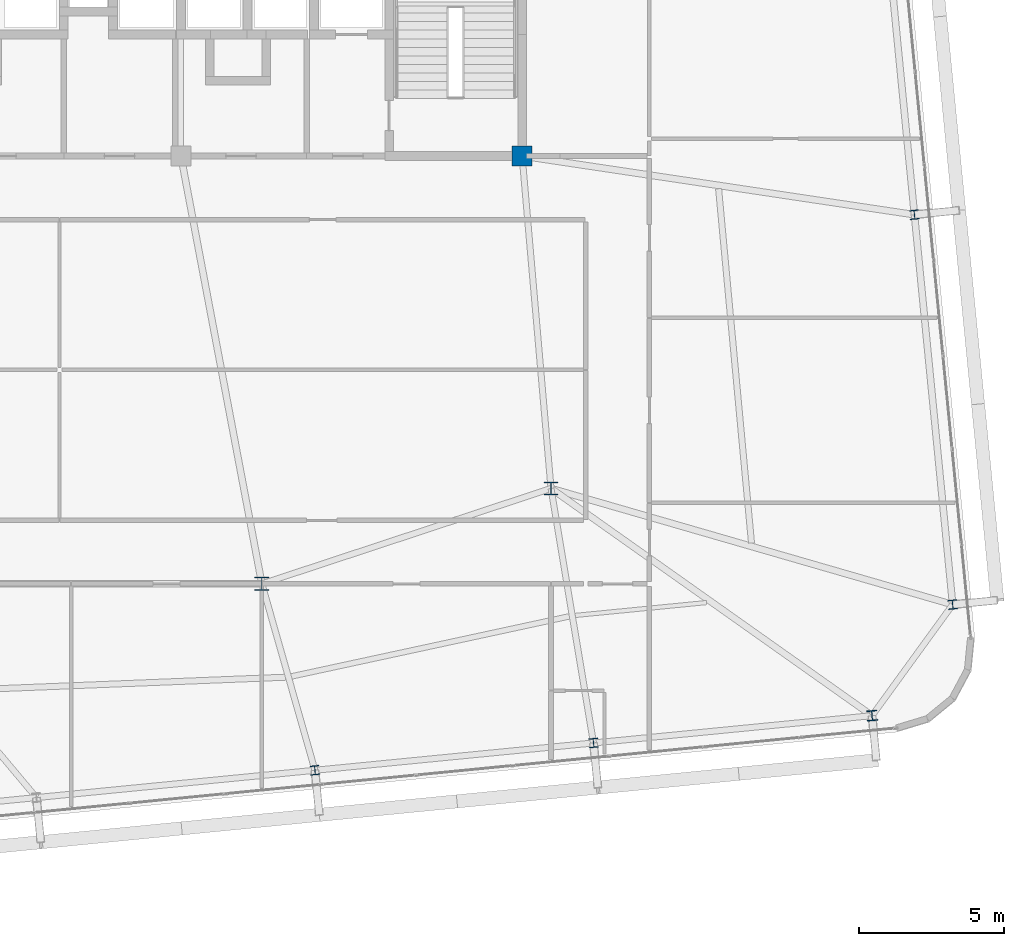
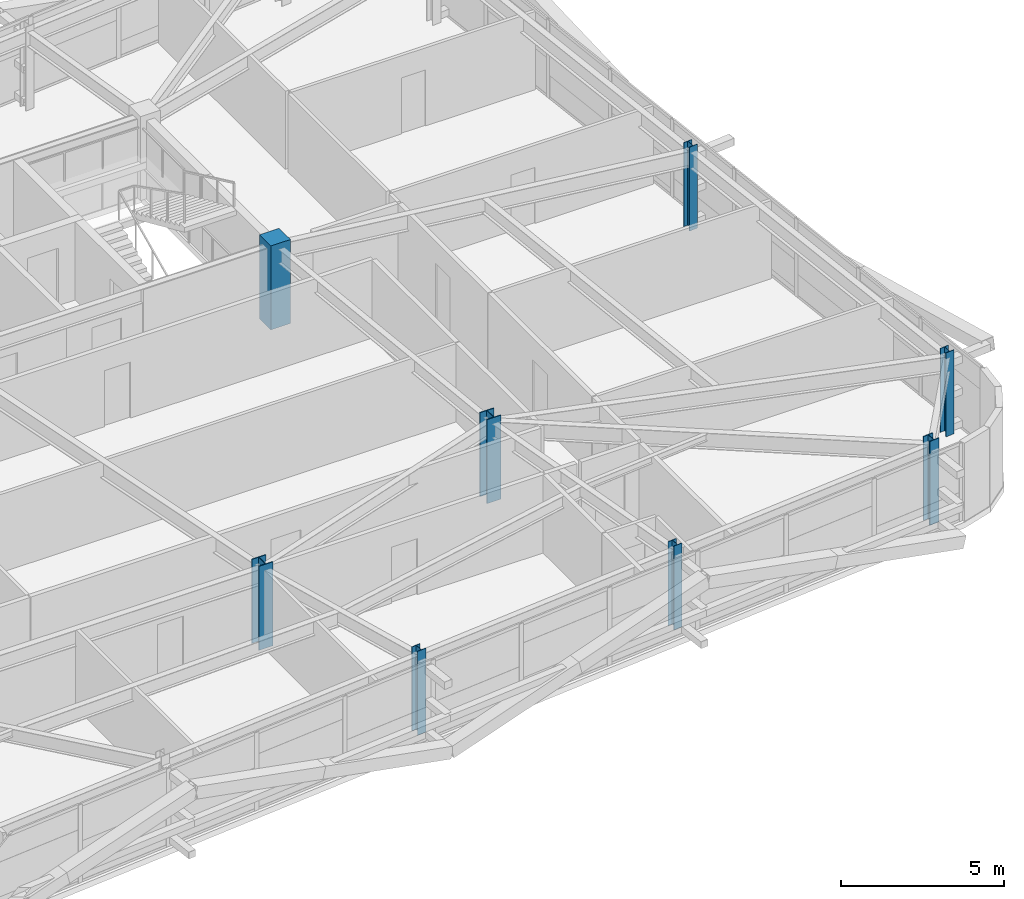
# One storey, part 2 of 52: 8 columns.
"""IFC4 building model written with IfcOpenShell, lengths in metres."""

from ifc_helpers import new_model, si_unit, direction, frame, origin, origin_2d, place, context, subcontext, project, spatial, rectangle, i_section, extrude, source, transform, mapped, material, material_profile, profile_set, type_object, element, save


model = new_model("IFC4")

# Units and contexts
model_context = context("Model", 3, precision=1e-05, world=origin(), true_north=direction((0.0, 1.0)))
body_context = subcontext(model_context, "Body", "Model", "MODEL_VIEW")
ifc_project = project(units=[si_unit("LENGTHUNIT", "METRE"), si_unit("AREAUNIT", "SQUARE_METRE"), si_unit("VOLUMEUNIT", "CUBIC_METRE"), si_unit("PLANEANGLEUNIT", "RADIAN"), si_unit("MASSUNIT", "GRAM", prefix="KILO")], contexts=[model_context])

# Site, building, storey
site_placement = place(None, origin())
site = spatial("IfcSite", under=ifc_project, at=site_placement, CompositionType="ELEMENT")
building_placement = place(site_placement, origin())
building = spatial("IfcBuilding", under=site, at=building_placement, Name="Taldren Reach Tower", CompositionType="ELEMENT")
storey_placement = place(building_placement, frame((0.0, 0.0, 77.699951171875)))
storey = spatial("IfcBuildingStorey", under=building, at=storey_placement, Name="L23", CompositionType="ELEMENT", Elevation=77.699951171875)

# Columns
ifc_material_1 = material(Name="Steel Gr 350 (350PLUS)", Category="steel")
ifc_material_profile_1 = material_profile(ifc_material_1, i_section(OverallWidth=0.5, OverallDepth=0.464111328125, WebThickness=0.02197265625, FlangeThickness=0.033935546875, at=origin_2d()), Name="500WC340")
ifc_profile_set_1 = profile_set([ifc_material_profile_1], Name="Steel Gr 350 (350PLUS)")
column_type_1 = type_object("IfcColumnType", Name="COL-WC500B", PredefinedType="COLUMN", material=ifc_profile_set_1)
shared_shape_1 = source(origin(), body_context, "Body", "SweptSolid", [
    extrude(i_section(OverallWidth=0.5, OverallDepth=0.464111328125, WebThickness=0.02197265625, FlangeThickness=0.033935546875, at=origin_2d()), origin(), (0.0, 0.0, 1.0), 3.150146484375),
])
for number, where, z_axis, x_axis, name in (
    (1, (42.0, 9.199951171875, 0.0), (0.0, 0.0, 1.0), (1.0, 0.0, 0.0), "Mega column MC-PJE L23"),
    (2, (52.0, 12.5, 0.0), (0.0, 0.0, 1.0), (1.0, 0.0, 0.0), "Mega column MC-SE L23"),
):
    element("IfcColumn", number, at=place(storey_placement, frame(where, z_axis=z_axis, x_axis=x_axis)), inside=storey, type_object=column_type_1, Name=name, PredefinedType="COLUMN", context=body_context, shape_type="MappedRepresentation", body=[
        mapped(shared_shape_1, transform((0.0, 0.0, 0.0), scale=1.0)),
    ])
ifc_material_2 = material(Name="Concrete S65 (65 MPa)", Category="concrete")
ifc_material_profile_2 = material_profile(ifc_material_2, rectangle(XDim=0.699951171875, YDim=0.699951171875, at=origin_2d()), Name="RC-700x700")
ifc_profile_set_2 = profile_set([ifc_material_profile_2], Name="Concrete S65 (65 MPa)")
column_type_2 = type_object("IfcColumnType", Name="COL-RC700", PredefinedType="COLUMN", material=ifc_profile_set_2)
shared_shape_2 = source(origin(), body_context, "Body", "SweptSolid", [
    extrude(rectangle(XDim=0.699951171875, YDim=0.699951171875, at=origin_2d()), origin(), (0.0, 0.0, 1.0), 3.150146484375),
])
column_1_placement = place(storey_placement, frame((51.0, 24.0, 0.0), z_axis=(0.0, 0.0, 1.0), x_axis=(1.0, 0.0, 0.0)))
element("IfcColumn", 3, at=column_1_placement, inside=storey, type_object=column_type_2, Name="Mega column MC-C4 L23", PredefinedType="COLUMN", context=body_context, shape_type="MappedRepresentation", body=[
    mapped(shared_shape_2, transform((0.0, 0.0, 0.0), scale=1.0)),
])
ifc_material_profile_3 = material_profile(ifc_material_1, i_section(OverallWidth=0.35009765625, OverallDepth=0.35595703125, WebThickness=0.01806640625, FlangeThickness=0.028076171875, at=origin_2d()), Name="350WC197")
ifc_profile_set_3 = profile_set([ifc_material_profile_3], Name="Steel Gr 350 (350PLUS)")
column_type_3 = type_object("IfcColumnType", Name="COL-WC350", PredefinedType="COLUMN", material=ifc_profile_set_3)
shared_shape_3 = source(origin(), body_context, "Body", "SweptSolid", [
    extrude(i_section(OverallWidth=0.35009765625, OverallDepth=0.35595703125, WebThickness=0.01806640625, FlangeThickness=0.028076171875, at=origin_2d()), origin(), (0.0, 0.0, 1.0), 3.150146484375),
])
column_2_placement = place(storey_placement, frame((63.103271484375, 4.64306640625, 0.0), z_axis=(0.0, 0.0, 1.0), x_axis=(0.995227399982, 0.097582899759, 0.0)))
element("IfcColumn", 4, at=column_2_placement, inside=storey, type_object=column_type_3, Name="Block B2 perimeter column S6 L23", PredefinedType="COLUMN", context=body_context, shape_type="MappedRepresentation", body=[
    mapped(shared_shape_3, transform((0.0, 0.0, 0.0), scale=1.0)),
])
ifc_material_profile_4 = material_profile(ifc_material_1, i_section(OverallWidth=0.306884765625, OverallDepth=0.31494140625, WebThickness=0.011962890625, FlangeThickness=0.018798828125, at=origin_2d()), Name="310UC118")
ifc_profile_set_4 = profile_set([ifc_material_profile_4], Name="Steel Gr 350 (350PLUS)")
column_type_4 = type_object("IfcColumnType", Name="COL-UC310B", PredefinedType="COLUMN", material=ifc_profile_set_4)
shared_shape_4 = source(origin(), body_context, "Body", "SweptSolid", [
    extrude(i_section(OverallWidth=0.306884765625, OverallDepth=0.31494140625, WebThickness=0.011962890625, FlangeThickness=0.018798828125, at=origin_2d()), origin(), (0.0, 0.0, 1.0), 3.150146484375),
])
for number, where, z_axis, x_axis, name in (
    (5, (43.83544921875, 2.75390625, 0.0), (0.0, 0.0, 1.0), (0.995227399982, 0.097582899759, 0.0), "Block B2 perimeter column S4 L23"),
    (6, (53.469482421875, 3.698486328125, 0.0), (0.0, 0.0, 1.0), (0.995227399982, 0.097582899759, 0.0), "Block B2 perimeter column S5 L23"),
    (7, (65.8916015625, 8.483642578125, 0.0), (0.0, 0.0, 1.0), (0.995227399982, 0.097582899759, 0.0), "Block B2 perimeter column E1 L23"),
    (8, (64.569580078125, 21.968994140625, 0.0), (0.0, 0.0, 1.0), (0.995227399982, 0.097582899759, 0.0), "Block B2 perimeter column E2 L23"),
):
    element("IfcColumn", number, at=place(storey_placement, frame(where, z_axis=z_axis, x_axis=x_axis)), inside=storey, type_object=column_type_4, Name=name, PredefinedType="COLUMN", context=body_context, shape_type="MappedRepresentation", body=[
        mapped(shared_shape_4, transform((0.0, 0.0, 0.0), scale=1.0)),
    ])

save(model, "model.ifc")
